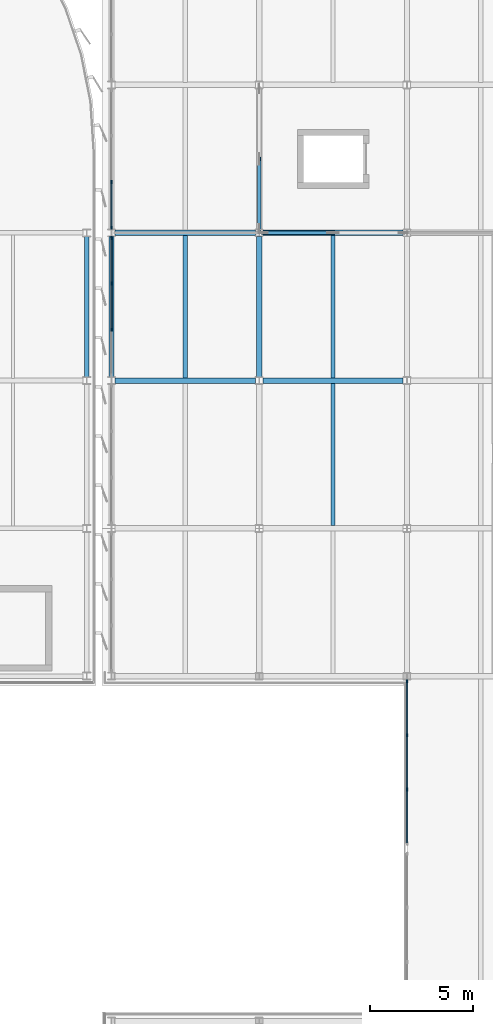
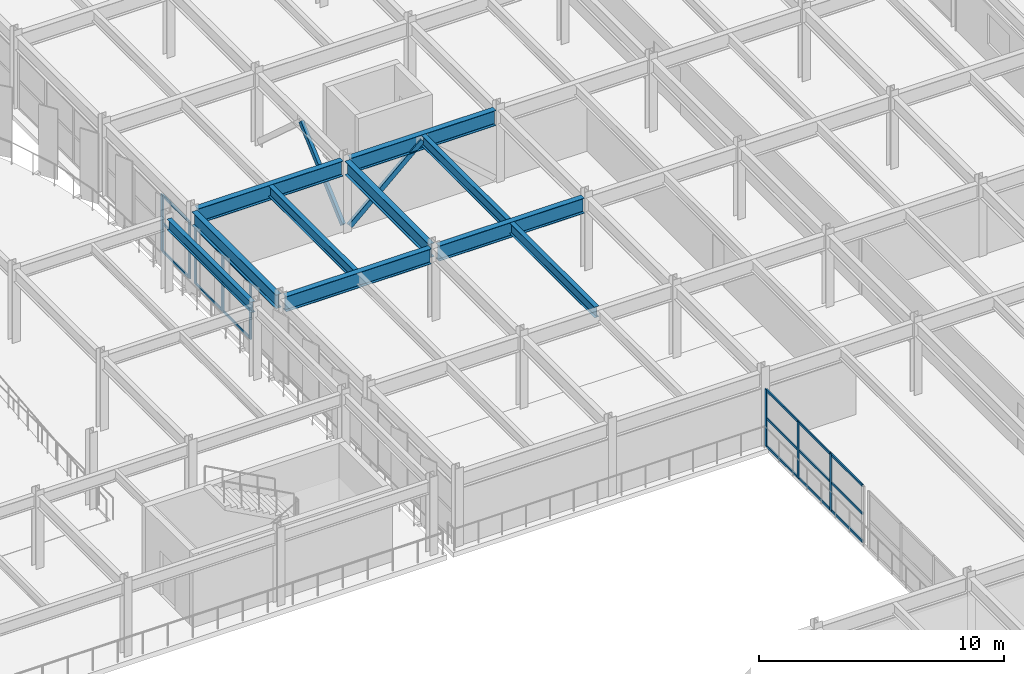
# One storey, part 32 of 80: 28 members, 10 beams, 3 elements without a shape of their own.
"""IFC4 building model written with IfcOpenShell, lengths in metres."""

from ifc_helpers import new_model, si_unit, direction, frame, origin, origin_2d, place, context, subcontext, project, spatial, rectangle, hollow_rectangle, i_section, extrude, material, material_profile, profile_set, type_object, element, aggregate, save


model = new_model("IFC4")

# Units and contexts
model_context = context("Model", 3, precision=1e-05, world=origin(), true_north=direction((0.0, 1.0)))
body_context = subcontext(model_context, "Body", "Model", "MODEL_VIEW")
ifc_project = project(units=[si_unit("LENGTHUNIT", "METRE"), si_unit("AREAUNIT", "SQUARE_METRE"), si_unit("VOLUMEUNIT", "CUBIC_METRE"), si_unit("PLANEANGLEUNIT", "RADIAN"), si_unit("MASSUNIT", "GRAM", prefix="KILO")], contexts=[model_context])

# Site, building, storey
site_placement = place(None, origin())
site = spatial("IfcSite", under=ifc_project, at=site_placement, CompositionType="ELEMENT")
building_placement = place(site_placement, origin())
building = spatial("IfcBuilding", under=site, at=building_placement, Name="Vaelcorin Mobility Hub", CompositionType="ELEMENT")
storey_placement = place(building_placement, frame((0.0, 0.0, 9.300048828125)))
storey = spatial("IfcBuildingStorey", under=building, at=storey_placement, Name="L02", CompositionType="ELEMENT", Elevation=9.300048828125)

# Beams
ifc_material_1 = material(Name="Steel ASTM A992 Grade 50", Category="steel")
ifc_material_profile_1 = material_profile(ifc_material_1, i_section(OverallWidth=0.2099609375, OverallDepth=0.532958984375, WebThickness=0.01025390625, FlangeThickness=0.015625, FilletRadius=0.013916015625, at=origin_2d()), Name="W21X62")
ifc_profile_set_1 = profile_set([ifc_material_profile_1], Name="Steel ASTM A992 Grade 50")
beam_type_1 = type_object("IfcBeamType", Name="BM-W21X62", PredefinedType="JOIST", material=ifc_profile_set_1)
for number, where, z_axis, x_axis, name in (
    (1, (157.199951171875, 91.33203125, 3.333984375), (0.0, 1.0, 0.0), (-1.0, 0.0, 0.0), "L02 Beam V5-L02-J-01-11-1"),
    (2, (164.39990234375, 84.132080078125, 3.333984375), (0.0, 1.0, 0.0), (-1.0, 0.0, 0.0), "L02 Beam V5-L02-J-02-10-1"),
    (3, (164.39990234375, 91.33203125, 3.333984375), (0.0, 1.0, 0.0), (-1.0, 0.0, 0.0), "L02 Beam V5-L02-J-02-11-1"),
):
    element("IfcBeam", number, at=place(storey_placement, frame(where, z_axis=z_axis, x_axis=x_axis)), inside=storey, type_object=beam_type_1, Name=name, PredefinedType="JOIST", context=body_context, shape_type="SweptSolid", body=[
        extrude(i_section(OverallWidth=0.2099609375, OverallDepth=0.532958984375, WebThickness=0.01025390625, FlangeThickness=0.015625, FilletRadius=0.013916015625, at=origin_2d()), origin(), (0.0, 0.0, 1.0), 6.93603515625),
    ])
ifc_material_profile_2 = material_profile(ifc_material_1, i_section(OverallWidth=0.2099609375, OverallDepth=0.535888671875, WebThickness=0.010986328125, FlangeThickness=0.017333984375, FilletRadius=0.013916015625, at=origin_2d()), Name="W21X68")
ifc_profile_set_2 = profile_set([ifc_material_profile_2], Name="Steel ASTM A992 Grade 50")
beam_type_2 = type_object("IfcBeamType", Name="BM-W21X68", PredefinedType="SPANDREL", material=ifc_profile_set_2)
beam_1_placement = place(storey_placement, frame((152.39990234375, 91.3798828125, 3.3818359375), z_axis=(0.0, 1.0, 0.0), x_axis=(-1.0, 0.0, 0.0)))
element("IfcBeam", 4, at=beam_1_placement, inside=storey, type_object=beam_type_2, Name="L02 Beam V2E-L02-GY-05-03", PredefinedType="SPANDREL", context=body_context, shape_type="SweptSolid", body=[
    extrude(i_section(OverallWidth=0.2099609375, OverallDepth=0.535888671875, WebThickness=0.010986328125, FlangeThickness=0.017333984375, FilletRadius=0.013916015625, at=origin_2d()), origin(), (0.0, 0.0, 1.0), 6.840087890625),
])
ifc_material_profile_3 = material_profile(ifc_material_1, i_section(OverallWidth=0.25390625, OverallDepth=0.68310546875, WebThickness=0.012451171875, FlangeThickness=0.018798828125, FilletRadius=0.01611328125, at=origin_2d()), Name="W27X94")
ifc_profile_set_3 = profile_set([ifc_material_profile_3], Name="Steel ASTM A992 Grade 50")
beam_type_3 = type_object("IfcBeamType", Name="BM-W27X94", PredefinedType="BEAM", material=ifc_profile_set_3)
for number, where, z_axis, x_axis, name in (
    (5, (153.60009765625, 91.3759765625, 3.258056640625), (0.0, 1.0, 0.0), (-1.0, 0.0, 0.0), "L02 Beam V5-L02-GY-01-11"),
    (6, (160.800048828125, 91.3759765625, 3.258056640625), (0.0, 1.0, 0.0), (-1.0, 0.0, 0.0), "L02 Beam V5-L02-GY-02-11"),
):
    element("IfcBeam", number, at=place(storey_placement, frame(where, z_axis=z_axis, x_axis=x_axis)), inside=storey, type_object=beam_type_3, Name=name, PredefinedType="BEAM", context=body_context, shape_type="SweptSolid", body=[
        extrude(i_section(OverallWidth=0.25390625, OverallDepth=0.68310546875, WebThickness=0.012451171875, FlangeThickness=0.018798828125, FilletRadius=0.01611328125, at=origin_2d()), origin(), (0.0, 0.0, 1.0), 6.84814453125),
    ])
ifc_material_profile_4 = material_profile(ifc_material_1, i_section(OverallWidth=0.26708984375, OverallDepth=0.757080078125, WebThickness=0.013916015625, FlangeThickness=0.019287109375, FilletRadius=0.01708984375, at=origin_2d()), Name="W30X108")
ifc_profile_set_4 = profile_set([ifc_material_profile_4], Name="Steel ASTM A992 Grade 50")
beam_type_4 = type_object("IfcBeamType", Name="BM-W30X108", PredefinedType="BEAM", material=ifc_profile_set_4)
beam_2_placement = place(storey_placement, frame((153.781982421875, 91.199951171875, 3.221923828125), z_axis=(1.0, 0.0, 0.0), x_axis=(0.0, 1.0, 0.0)))
element("IfcBeam", 7, at=beam_2_placement, inside=storey, type_object=beam_type_4, Name="L02 Beam V5-L02-GX-11-01", PredefinedType="BEAM", context=body_context, shape_type="SweptSolid", body=[
    extrude(i_section(OverallWidth=0.26708984375, OverallDepth=0.757080078125, WebThickness=0.013916015625, FlangeThickness=0.019287109375, FilletRadius=0.01708984375, at=origin_2d()), origin(), (0.0, 0.0, 1.0), 6.8359375),
])
beam_3_placement = place(storey_placement, frame((160.98193359375, 91.199951171875, 3.221923828125), z_axis=(1.0, 0.0, 0.0), x_axis=(0.0, 1.0, 0.0)))
element("IfcBeam", 8, at=beam_3_placement, inside=storey, type_object=beam_type_4, Name="L02 Beam V5-L02-GX-11-02", PredefinedType="BEAM", context=body_context, shape_type="SweptSolid", body=[
    extrude(i_section(OverallWidth=0.26708984375, OverallDepth=0.757080078125, WebThickness=0.013916015625, FlangeThickness=0.019287109375, FilletRadius=0.01708984375, at=origin_2d()), origin(), (0.0, 0.0, 1.0), 6.836181640625),
])
beam_4_placement = place(storey_placement, frame((153.781982421875, 98.39990234375, 3.221923828125), z_axis=(1.0, 0.0, 0.0), x_axis=(0.0, 1.0, 0.0)))
element("IfcBeam", 9, at=beam_4_placement, inside=storey, type_object=beam_type_4, Name="L02 Beam V5-L02-GX-12-01", PredefinedType="BEAM", context=body_context, shape_type="SweptSolid", body=[
    extrude(i_section(OverallWidth=0.26708984375, OverallDepth=0.757080078125, WebThickness=0.013916015625, FlangeThickness=0.019287109375, FilletRadius=0.01708984375, at=origin_2d()), origin(), (0.0, 0.0, 1.0), 6.8359375),
])
beam_5_placement = place(storey_placement, frame((160.98193359375, 98.39990234375, 3.221923828125), z_axis=(1.0, 0.0, 0.0), x_axis=(0.0, 1.0, 0.0)))
element("IfcBeam", 10, at=beam_5_placement, inside=storey, type_object=beam_type_4, Name="L02 Beam V5-L02-GX-12-02", PredefinedType="BEAM", context=body_context, shape_type="SweptSolid", body=[
    extrude(i_section(OverallWidth=0.26708984375, OverallDepth=0.757080078125, WebThickness=0.013916015625, FlangeThickness=0.019287109375, FilletRadius=0.01708984375, at=origin_2d()), origin(), (0.0, 0.0, 1.0), 6.836181640625),
])

# Members
ifc_material_2 = material(Name="Steel ASTM A500 Grade C", Category="steel")
ifc_material_profile_5 = material_profile(ifc_material_2, hollow_rectangle(XDim=0.15234375, YDim=0.25390625, WallThickness=0.01171875, at=origin_2d()), Name="HSS10X6X0.500")
ifc_profile_set_5 = profile_set([ifc_material_profile_5], Name="Steel ASTM A500 Grade C")
member_type_1 = type_object("IfcMemberType", Name="BR-SCBF-10X6", PredefinedType="BRACE", material=ifc_profile_set_5)
for number, where, z_axis, x_axis, name in (
    (11, (160.989990234375, 98.39990234375, 0.179931640625), (0.743169783144, 0.0, 0.669102887022), (0.0, 1.0, 0.0), "SCBF Chevron Brace V5-BX2-L02-A"),
    (12, (160.800048828125, 98.590087890625, 0.179931640625), (0.0, 0.743169783144, 0.669102887022), (-1.0, 0.0, 0.0), "SCBF Chevron Brace V5-BY2-L02-A"),
):
    element("IfcMember", number, at=place(storey_placement, frame(where, z_axis=z_axis, x_axis=x_axis)), inside=storey, type_object=member_type_1, Name=name, PredefinedType="BRACE", context=body_context, shape_type="SweptSolid", body=[
        extrude(hollow_rectangle(XDim=0.15234375, YDim=0.25390625, WallThickness=0.01171875, at=origin_2d()), origin(), (0.0, 0.0, 1.0), 4.58837890625),
    ])

# Curtain wall, members
ifc_material_3 = material(Name="Anodised aluminium 6063-T6", Category="aluminium")
curtain_wall_type = type_object("IfcCurtainWallType", Name="CW-MOB-A", PredefinedType="NOTDEFINED", material=ifc_material_3)
curtain_wall_1_placement = place(storey_placement, origin())
curtain_wall_1 = element("IfcCurtainWall", 13, at=curtain_wall_1_placement, inside=storey, type_object=curtain_wall_type, Name="L02 Curtain Wall CW-V5-L02-WN-03", PredefinedType="NOTDEFINED")
ifc_material_profile_6 = material_profile(ifc_material_3, rectangle(XDim=0.06005859375, YDim=0.159912109375, at=origin_2d()), Name="ALU-M60X160")
ifc_profile_set_6 = profile_set([ifc_material_profile_6], Name="Anodised aluminium 6063-T6")
member_type_2 = type_object("IfcMemberType", Name="CW-MULL-160", PredefinedType="MULLION", material=ifc_profile_set_6)
member_1_placement = place(storey_placement, frame((153.60009765625, 93.67333984375, 0.0), z_axis=(0.0, 0.0, 1.0), x_axis=(-1.0, 0.0, 0.0)))
member_1 = element("IfcMember", 14, at=member_1_placement, type_object=member_type_2, Name="CW7 mullion 2", PredefinedType="MULLION", context=body_context, shape_type="SweptSolid", body=[
    extrude(rectangle(XDim=0.06005859375, YDim=0.159912109375, at=origin_2d()), origin(), (0.0, 0.0, 1.0), 2.827880859375),
])
member_2_placement = place(storey_placement, frame((153.60009765625, 95.9267578125, 0.0), z_axis=(0.0, 0.0, 1.0), x_axis=(-1.0, 0.0, 0.0)))
member_2 = element("IfcMember", 15, at=member_2_placement, type_object=member_type_2, Name="CW7 mullion 3", PredefinedType="MULLION", context=body_context, shape_type="SweptSolid", body=[
    extrude(rectangle(XDim=0.06005859375, YDim=0.159912109375, at=origin_2d()), origin(), (0.0, 0.0, 1.0), 2.827880859375),
])
member_3_placement = place(storey_placement, frame((153.60009765625, 98.14990234375, 0.0), z_axis=(0.0, 0.0, 1.0), x_axis=(-1.0, 0.0, 0.0)))
member_3 = element("IfcMember", 16, at=member_3_placement, type_object=member_type_2, Name="CW7 mullion 4", PredefinedType="MULLION", context=body_context, shape_type="SweptSolid", body=[
    extrude(rectangle(XDim=0.06005859375, YDim=0.159912109375, at=origin_2d()), origin(), (0.0, 0.0, 1.0), 2.827880859375),
])

curtain_wall_2_placement = place(storey_placement, origin())
curtain_wall_2 = element("IfcCurtainWall", 17, at=curtain_wall_2_placement, inside=storey, type_object=curtain_wall_type, Name="L02 Curtain Wall CW-V5-L02-WN-04", PredefinedType="NOTDEFINED")
member_4_placement = place(storey_placement, frame((153.60009765625, 98.64990234375, 0.0), z_axis=(0.0, 0.0, 1.0), x_axis=(-1.0, 0.0, 0.0)))
member_4 = element("IfcMember", 18, at=member_4_placement, type_object=member_type_2, Name="CW7 mullion 1", PredefinedType="MULLION", context=body_context, shape_type="SweptSolid", body=[
    extrude(rectangle(XDim=0.06005859375, YDim=0.159912109375, at=origin_2d()), origin(), (0.0, 0.0, 1.0), 2.827880859375),
])
member_5_placement = place(storey_placement, frame((153.60009765625, 100.873291015625, 0.0), z_axis=(0.0, 0.0, 1.0), x_axis=(-1.0, 0.0, 0.0)))
member_5 = element("IfcMember", 19, at=member_5_placement, type_object=member_type_2, Name="CW7 mullion 2", PredefinedType="MULLION", context=body_context, shape_type="SweptSolid", body=[
    extrude(rectangle(XDim=0.06005859375, YDim=0.159912109375, at=origin_2d()), origin(), (0.0, 0.0, 1.0), 2.827880859375),
])

curtain_wall_3_placement = place(storey_placement, origin())
curtain_wall_3 = element("IfcCurtainWall", 20, at=curtain_wall_3_placement, inside=storey, type_object=curtain_wall_type, Name="L02 Curtain Wall CW-V5-L02-NOTCH-2", PredefinedType="NOTDEFINED")
member_6_placement = place(storey_placement, frame((168.0, 71.2734375, 0.0), z_axis=(0.0, 0.0, 1.0), x_axis=(-1.0, 0.0, 0.0)))
member_6 = element("IfcMember", 21, at=member_6_placement, type_object=member_type_2, Name="CW7 mullion 2", PredefinedType="MULLION", context=body_context, shape_type="SweptSolid", body=[
    extrude(rectangle(XDim=0.06005859375, YDim=0.159912109375, at=origin_2d()), origin(), (0.0, 0.0, 1.0), 2.827880859375),
])
member_7_placement = place(storey_placement, frame((168.0, 73.9267578125, 0.0), z_axis=(0.0, 0.0, 1.0), x_axis=(-1.0, 0.0, 0.0)))
member_7 = element("IfcMember", 22, at=member_7_placement, type_object=member_type_2, Name="CW7 mullion 3", PredefinedType="MULLION", context=body_context, shape_type="SweptSolid", body=[
    extrude(rectangle(XDim=0.06005859375, YDim=0.159912109375, at=origin_2d()), origin(), (0.0, 0.0, 1.0), 2.827880859375),
])
member_8_placement = place(storey_placement, frame((168.0, 76.550048828125, 0.0), z_axis=(0.0, 0.0, 1.0), x_axis=(-1.0, 0.0, 0.0)))
member_8 = element("IfcMember", 23, at=member_8_placement, type_object=member_type_2, Name="CW7 mullion 4", PredefinedType="MULLION", context=body_context, shape_type="SweptSolid", body=[
    extrude(rectangle(XDim=0.06005859375, YDim=0.159912109375, at=origin_2d()), origin(), (0.0, 0.0, 1.0), 2.827880859375),
])

# Member
ifc_material_profile_7 = material_profile(ifc_material_3, rectangle(XDim=0.06005859375, YDim=0.1201171875, at=origin_2d()), Name="ALU-T60X120")
ifc_profile_set_7 = profile_set([ifc_material_profile_7], Name="Anodised aluminium 6063-T6")
member_type_3 = type_object("IfcMemberType", Name="CW-TRAN-140", PredefinedType="USERDEFINED", material=ifc_profile_set_7)
member_9_placement = place(storey_placement, frame((153.60009765625, 93.703369140625, 0.030029296875), z_axis=(0.0, 1.0, 0.0), x_axis=(-1.0, 0.0, 0.0)))
member_9 = element("IfcMember", 24, at=member_9_placement, type_object=member_type_3, Name="CW7 transom 2.1", ObjectType="TRANSOM", PredefinedType="USERDEFINED", context=body_context, shape_type="SweptSolid", body=[
    extrude(rectangle(XDim=0.06005859375, YDim=0.1201171875, at=origin_2d()), origin(), (0.0, 0.0, 1.0), 2.193359375),
])

member_10_placement = place(storey_placement, frame((153.60009765625, 93.703369140625, 1.4140625), z_axis=(0.0, 1.0, 0.0), x_axis=(-1.0, 0.0, 0.0)))
member_10 = element("IfcMember", 25, at=member_10_placement, type_object=member_type_3, Name="CW7 transom 2.2", ObjectType="TRANSOM", PredefinedType="USERDEFINED", context=body_context, shape_type="SweptSolid", body=[
    extrude(rectangle(XDim=0.06005859375, YDim=0.1201171875, at=origin_2d()), origin(), (0.0, 0.0, 1.0), 2.193359375),
])

member_11_placement = place(storey_placement, frame((153.60009765625, 93.703369140625, 2.7978515625), z_axis=(0.0, 1.0, 0.0), x_axis=(-1.0, 0.0, 0.0)))
member_11 = element("IfcMember", 26, at=member_11_placement, type_object=member_type_3, Name="CW7 transom 2.3", ObjectType="TRANSOM", PredefinedType="USERDEFINED", context=body_context, shape_type="SweptSolid", body=[
    extrude(rectangle(XDim=0.06005859375, YDim=0.1201171875, at=origin_2d()), origin(), (0.0, 0.0, 1.0), 2.193359375),
])

member_12_placement = place(storey_placement, frame((153.60009765625, 95.956787109375, 0.030029296875), z_axis=(0.0, 1.0, 0.0), x_axis=(-1.0, 0.0, 0.0)))
member_12 = element("IfcMember", 27, at=member_12_placement, type_object=member_type_3, Name="CW7 transom 3.1", ObjectType="TRANSOM", PredefinedType="USERDEFINED", context=body_context, shape_type="SweptSolid", body=[
    extrude(rectangle(XDim=0.06005859375, YDim=0.1201171875, at=origin_2d()), origin(), (0.0, 0.0, 1.0), 2.163330078125),
])

member_13_placement = place(storey_placement, frame((153.60009765625, 95.956787109375, 1.4140625), z_axis=(0.0, 1.0, 0.0), x_axis=(-1.0, 0.0, 0.0)))
member_13 = element("IfcMember", 28, at=member_13_placement, type_object=member_type_3, Name="CW7 transom 3.2", ObjectType="TRANSOM", PredefinedType="USERDEFINED", context=body_context, shape_type="SweptSolid", body=[
    extrude(rectangle(XDim=0.06005859375, YDim=0.1201171875, at=origin_2d()), origin(), (0.0, 0.0, 1.0), 2.163330078125),
])

member_14_placement = place(storey_placement, frame((153.60009765625, 95.956787109375, 2.7978515625), z_axis=(0.0, 1.0, 0.0), x_axis=(-1.0, 0.0, 0.0)))
member_14 = element("IfcMember", 29, at=member_14_placement, type_object=member_type_3, Name="CW7 transom 3.3", ObjectType="TRANSOM", PredefinedType="USERDEFINED", context=body_context, shape_type="SweptSolid", body=[
    extrude(rectangle(XDim=0.06005859375, YDim=0.1201171875, at=origin_2d()), origin(), (0.0, 0.0, 1.0), 2.163330078125),
])

aggregate(curtain_wall_1, [member_1, member_2, member_3, member_9, member_10, member_11, member_12, member_13, member_14])

member_15_placement = place(storey_placement, frame((153.60009765625, 98.679931640625, 0.030029296875), z_axis=(0.0, 1.0, 0.0), x_axis=(-1.0, 0.0, 0.0)))
member_15 = element("IfcMember", 30, at=member_15_placement, type_object=member_type_3, Name="CW7 transom 1.1", ObjectType="TRANSOM", PredefinedType="USERDEFINED", context=body_context, shape_type="SweptSolid", body=[
    extrude(rectangle(XDim=0.06005859375, YDim=0.1201171875, at=origin_2d()), origin(), (0.0, 0.0, 1.0), 2.163330078125),
])

member_16_placement = place(storey_placement, frame((153.60009765625, 98.679931640625, 1.4140625), z_axis=(0.0, 1.0, 0.0), x_axis=(-1.0, 0.0, 0.0)))
member_16 = element("IfcMember", 31, at=member_16_placement, type_object=member_type_3, Name="CW7 transom 1.2", ObjectType="TRANSOM", PredefinedType="USERDEFINED", context=body_context, shape_type="SweptSolid", body=[
    extrude(rectangle(XDim=0.06005859375, YDim=0.1201171875, at=origin_2d()), origin(), (0.0, 0.0, 1.0), 2.163330078125),
])

member_17_placement = place(storey_placement, frame((153.60009765625, 98.679931640625, 2.7978515625), z_axis=(0.0, 1.0, 0.0), x_axis=(-1.0, 0.0, 0.0)))
member_17 = element("IfcMember", 32, at=member_17_placement, type_object=member_type_3, Name="CW7 transom 1.3", ObjectType="TRANSOM", PredefinedType="USERDEFINED", context=body_context, shape_type="SweptSolid", body=[
    extrude(rectangle(XDim=0.06005859375, YDim=0.1201171875, at=origin_2d()), origin(), (0.0, 0.0, 1.0), 2.163330078125),
])

aggregate(curtain_wall_2, [member_4, member_5, member_15, member_16, member_17])

member_18_placement = place(storey_placement, frame((168.0, 68.679931640625, 0.030029296875), z_axis=(0.0, 1.0, 0.0), x_axis=(-1.0, 0.0, 0.0)))
member_18 = element("IfcMember", 33, at=member_18_placement, type_object=member_type_3, Name="CW7 transom 1.1", ObjectType="TRANSOM", PredefinedType="USERDEFINED", context=body_context, shape_type="SweptSolid", body=[
    extrude(rectangle(XDim=0.06005859375, YDim=0.1201171875, at=origin_2d()), origin(), (0.0, 0.0, 1.0), 2.5634765625),
])

member_19_placement = place(storey_placement, frame((168.0, 68.679931640625, 1.4140625), z_axis=(0.0, 1.0, 0.0), x_axis=(-1.0, 0.0, 0.0)))
member_19 = element("IfcMember", 34, at=member_19_placement, type_object=member_type_3, Name="CW7 transom 1.2", ObjectType="TRANSOM", PredefinedType="USERDEFINED", context=body_context, shape_type="SweptSolid", body=[
    extrude(rectangle(XDim=0.06005859375, YDim=0.1201171875, at=origin_2d()), origin(), (0.0, 0.0, 1.0), 2.5634765625),
])

member_20_placement = place(storey_placement, frame((168.0, 68.679931640625, 2.7978515625), z_axis=(0.0, 1.0, 0.0), x_axis=(-1.0, 0.0, 0.0)))
member_20 = element("IfcMember", 35, at=member_20_placement, type_object=member_type_3, Name="CW7 transom 1.3", ObjectType="TRANSOM", PredefinedType="USERDEFINED", context=body_context, shape_type="SweptSolid", body=[
    extrude(rectangle(XDim=0.06005859375, YDim=0.1201171875, at=origin_2d()), origin(), (0.0, 0.0, 1.0), 2.5634765625),
])

member_21_placement = place(storey_placement, frame((168.0, 71.30322265625, 0.030029296875), z_axis=(0.0, 1.0, 0.0), x_axis=(-1.0, 0.0, 0.0)))
member_21 = element("IfcMember", 36, at=member_21_placement, type_object=member_type_3, Name="CW7 transom 2.1", ObjectType="TRANSOM", PredefinedType="USERDEFINED", context=body_context, shape_type="SweptSolid", body=[
    extrude(rectangle(XDim=0.06005859375, YDim=0.1201171875, at=origin_2d()), origin(), (0.0, 0.0, 1.0), 2.593505859375),
])

member_22_placement = place(storey_placement, frame((168.0, 71.30322265625, 1.4140625), z_axis=(0.0, 1.0, 0.0), x_axis=(-1.0, 0.0, 0.0)))
member_22 = element("IfcMember", 37, at=member_22_placement, type_object=member_type_3, Name="CW7 transom 2.2", ObjectType="TRANSOM", PredefinedType="USERDEFINED", context=body_context, shape_type="SweptSolid", body=[
    extrude(rectangle(XDim=0.06005859375, YDim=0.1201171875, at=origin_2d()), origin(), (0.0, 0.0, 1.0), 2.593505859375),
])

member_23_placement = place(storey_placement, frame((168.0, 71.30322265625, 2.7978515625), z_axis=(0.0, 1.0, 0.0), x_axis=(-1.0, 0.0, 0.0)))
member_23 = element("IfcMember", 38, at=member_23_placement, type_object=member_type_3, Name="CW7 transom 2.3", ObjectType="TRANSOM", PredefinedType="USERDEFINED", context=body_context, shape_type="SweptSolid", body=[
    extrude(rectangle(XDim=0.06005859375, YDim=0.1201171875, at=origin_2d()), origin(), (0.0, 0.0, 1.0), 2.593505859375),
])

member_24_placement = place(storey_placement, frame((168.0, 73.956787109375, 0.030029296875), z_axis=(0.0, 1.0, 0.0), x_axis=(-1.0, 0.0, 0.0)))
member_24 = element("IfcMember", 39, at=member_24_placement, type_object=member_type_3, Name="CW7 transom 3.1", ObjectType="TRANSOM", PredefinedType="USERDEFINED", context=body_context, shape_type="SweptSolid", body=[
    extrude(rectangle(XDim=0.06005859375, YDim=0.1201171875, at=origin_2d()), origin(), (0.0, 0.0, 1.0), 2.563232421875),
])

member_25_placement = place(storey_placement, frame((168.0, 73.956787109375, 1.4140625), z_axis=(0.0, 1.0, 0.0), x_axis=(-1.0, 0.0, 0.0)))
member_25 = element("IfcMember", 40, at=member_25_placement, type_object=member_type_3, Name="CW7 transom 3.2", ObjectType="TRANSOM", PredefinedType="USERDEFINED", context=body_context, shape_type="SweptSolid", body=[
    extrude(rectangle(XDim=0.06005859375, YDim=0.1201171875, at=origin_2d()), origin(), (0.0, 0.0, 1.0), 2.563232421875),
])

member_26_placement = place(storey_placement, frame((168.0, 73.956787109375, 2.7978515625), z_axis=(0.0, 1.0, 0.0), x_axis=(-1.0, 0.0, 0.0)))
member_26 = element("IfcMember", 41, at=member_26_placement, type_object=member_type_3, Name="CW7 transom 3.3", ObjectType="TRANSOM", PredefinedType="USERDEFINED", context=body_context, shape_type="SweptSolid", body=[
    extrude(rectangle(XDim=0.06005859375, YDim=0.1201171875, at=origin_2d()), origin(), (0.0, 0.0, 1.0), 2.563232421875),
])

aggregate(curtain_wall_3, [member_6, member_7, member_8, member_18, member_19, member_20, member_21, member_22, member_23, member_24, member_25, member_26])

save(model, "model.ifc")
